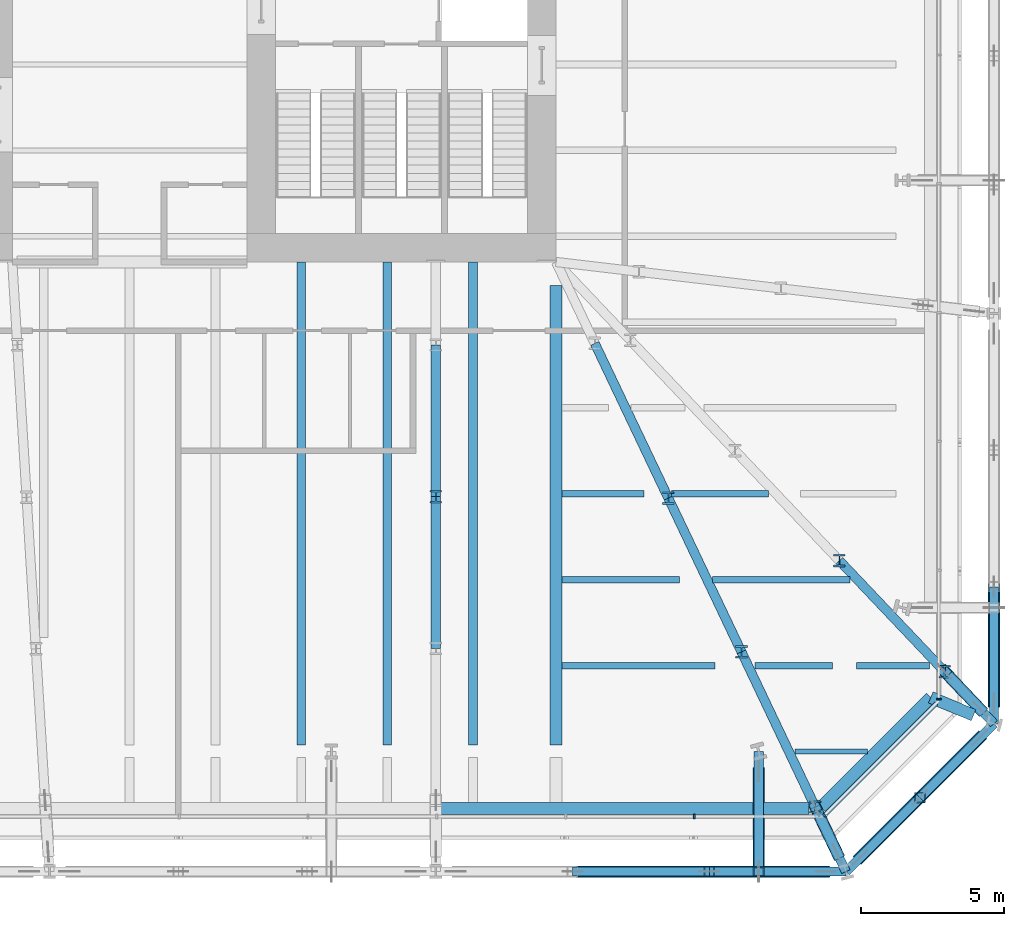
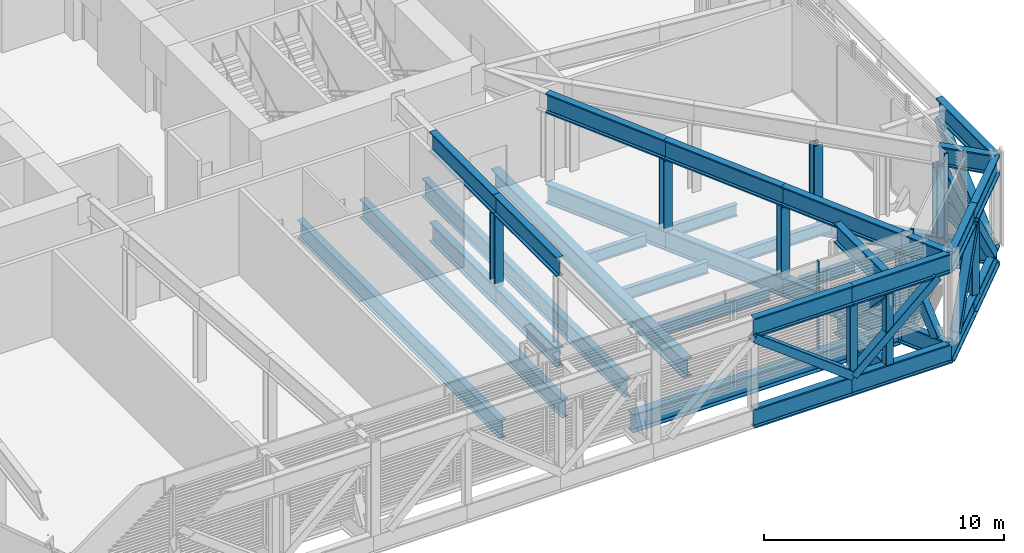
# One storey, part 7 of 29: 43 beams, 21 members, 3 elements without a shape of their own.
"""IFC4 building model written with IfcOpenShell, lengths in metres."""

import ifcopenshell
import ifcopenshell.guid

model = None  # the IFC model being written
_history = None  # IfcOwnerHistory: only IFC2X3 demands one
_inside = {}  # id of a spatial element -> (the spatial element, [elements in it])
_under = {}  # id of a project, library or spatial element -> (it, [spatial elements below it])
_declared = {}  # id of a project -> (the project, [libraries it declares])
_typed = {}  # id of a type object -> (the type object, [elements of that type])
_made_of = {}  # id of a material, layer set ... -> (it, [elements and type objects made of it])


def new_model(schema):
    """Start an empty IFC model of exactly this schema.

    Asked for "IFC4X3", IfcOpenShell would pick the latest addendum, in which some entities
    have other attributes; the version numbers below select the first issue.
    IFC2X3 requires an IfcOwnerHistory on every rooted entity: one is made here for all.
    """
    global model, _history
    if schema == "IFC4X3":
        model = ifcopenshell.file(schema_version=(4, 3, 0, 0))
    else:
        model = ifcopenshell.file(schema=schema)
    _inside.clear()
    _under.clear()
    _declared.clear()
    _typed.clear()
    _made_of.clear()
    _history = None
    if model.schema == "IFC2X3":
        org = make("IfcOrganization", Name="unknown")
        user = make(
            "IfcPersonAndOrganization",
            ThePerson=make("IfcPerson", FamilyName="unknown"),
            TheOrganization=org,
        )
        app = make(
            "IfcApplication",
            ApplicationDeveloper=org,
            Version="unknown",
            ApplicationFullName="unknown",
            ApplicationIdentifier="unknown",
        )
        _history = make(
            "IfcOwnerHistory",
            OwningUser=user,
            OwningApplication=app,
            ChangeAction="ADDED",
            CreationDate=0,
        )
    return model


def make(cls, **values):
    """One entity of the class cls with the attributes given. An attribute that is None is left unset."""
    return model.create_entity(
        cls, **{name: value for name, value in values.items() if value is not None}
    )


def rooted(cls, **values):
    """An entity with a GlobalId (a new one), such as an element, a storey or a relation."""
    return make(cls, GlobalId=ifcopenshell.guid.new(), OwnerHistory=_history, **values)


def si_unit(unit_type, name, prefix=None):
    """IfcSIUnit, for example si_unit("LENGTHUNIT", "METRE", prefix="MILLI")."""
    return make("IfcSIUnit", UnitType=unit_type, Prefix=prefix, Name=name)


def assignment(units):
    """IfcUnitAssignment: the units of a project."""
    return None if units is None else make("IfcUnitAssignment", Units=units)


def point(xyz):
    """IfcCartesianPoint."""
    return None if xyz is None else make("IfcCartesianPoint", Coordinates=xyz)


def direction(xyz):
    """IfcDirection."""
    return None if xyz is None else make("IfcDirection", DirectionRatios=xyz)


def frame(location, z_axis=None, x_axis=None):
    """IfcAxis2Placement3D, a coordinate frame: its origin and axes. An axis left out is left unset."""
    return make(
        "IfcAxis2Placement3D",
        Location=point(location),
        Axis=direction(z_axis),
        RefDirection=direction(x_axis),
    )


def frame_2d(location, x_axis=None):
    """IfcAxis2Placement2D, a coordinate frame in the plane: its origin and x axis."""
    return make(
        "IfcAxis2Placement2D", Location=point(location), RefDirection=direction(x_axis)
    )


def origin():
    """The frame at (0, 0, 0) with its axes left unset."""
    return frame((0.0, 0.0, 0.0))


def origin_2d():
    """The frame at (0, 0) in the plane with its x axis left unset."""
    return frame_2d((0.0, 0.0))


def place(relative_to, where):
    """IfcLocalPlacement: puts the frame where relative to a parent placement (None: the world)."""
    return make(
        "IfcLocalPlacement", PlacementRelTo=relative_to, RelativePlacement=where
    )


def context(
    kind, dimensions, precision=None, world=None, true_north=None, identifier=None
):
    """IfcGeometricRepresentationContext, for example the 3D "Model" context."""
    return make(
        "IfcGeometricRepresentationContext",
        ContextIdentifier=identifier,
        ContextType=kind,
        CoordinateSpaceDimension=dimensions,
        Precision=precision,
        WorldCoordinateSystem=world,
        TrueNorth=true_north,
    )


def subcontext(parent, identifier, kind, view, scale=None):
    """IfcGeometricRepresentationSubContext, for example "Body" below "Model"."""
    return make(
        "IfcGeometricRepresentationSubContext",
        ContextIdentifier=identifier,
        ContextType=kind,
        ParentContext=parent,
        TargetScale=scale,
        TargetView=view,
    )


def project(units=None, contexts=None):
    """IfcProject with its units and contexts."""
    return rooted(
        "IfcProject",
        Name="project",
        RepresentationContexts=contexts,
        UnitsInContext=assignment(units),
    )


def spatial(cls, under=None, at=None, **own):
    """A site, building, storey or space (cls), placed at a placement, below another one or the project."""
    s = rooted(cls, ObjectPlacement=at, **own)
    if under is not None:
        _under.setdefault(under.id(), (under, []))[1].append(s)
    return s


def profile(cls, at=None, kind="AREA", **sizes):
    """A parametric profile (cls). Its sizes go by their IFC names, for example OverallWidth=200.0."""
    return make(cls, ProfileType=kind, Position=at, **sizes)


def rectangle(**sizes):
    """IfcRectangleProfileDef."""
    return profile("IfcRectangleProfileDef", **sizes)


def hollow_rectangle(**sizes):
    """IfcRectangleHollowProfileDef."""
    return profile("IfcRectangleHollowProfileDef", **sizes)


def i_section(**sizes):
    """IfcIShapeProfileDef."""
    return profile("IfcIShapeProfileDef", **sizes)


def extrude(swept, where, along, depth):
    """IfcExtrudedAreaSolid: the profile swept, set in the frame where, extruded along a direction by depth."""
    return make(
        "IfcExtrudedAreaSolid",
        SweptArea=swept,
        Position=where,
        ExtrudedDirection=direction(along),
        Depth=depth,
    )


def shape(context_of_items, identifier, shape_type, items):
    """IfcShapeRepresentation: the items that make up one representation, for example the "Body"."""
    return make(
        "IfcShapeRepresentation",
        ContextOfItems=context_of_items,
        RepresentationIdentifier=identifier,
        RepresentationType=shape_type,
        Items=items,
    )


def material(Name=None, Category=None):
    """IfcMaterial."""
    return make("IfcMaterial", Name=Name, Category=Category)


def layer(
    of_material, thickness, ventilated=None, Name=None, Category=None, Priority=None
):
    """IfcMaterialLayer: one layer of a wall or slab, of a material (None: an air gap)."""
    return make(
        "IfcMaterialLayer",
        Material=of_material,
        LayerThickness=thickness,
        IsVentilated=ventilated,
        Name=Name,
        Category=Category,
        Priority=Priority,
    )


def layer_set(layers, Name=None):
    """IfcMaterialLayerSet."""
    return make("IfcMaterialLayerSet", MaterialLayers=layers, LayerSetName=Name)


def material_profile(
    of_material, cross_section, Name=None, Category=None, Priority=None
):
    """IfcMaterialProfile: a cross section and its material."""
    return make(
        "IfcMaterialProfile",
        Name=Name,
        Material=of_material,
        Profile=cross_section,
        Priority=Priority,
        Category=Category,
    )


def profile_set(profiles, Name=None, composite=None):
    """IfcMaterialProfileSet."""
    return make(
        "IfcMaterialProfileSet",
        Name=Name,
        MaterialProfiles=profiles,
        CompositeProfile=composite,
    )


def made_of(thing, what):
    """Note that an element or type object is made of a material, layer set ...; save() writes the relation."""
    if what is not None:
        _made_of.setdefault(what.id(), (what, []))[1].append(thing)
    return thing


def type_object(cls, material=None, **own):
    """A type object (cls), such as IfcWallType, which elements share."""
    return made_of(rooted(cls, **own), material)


def element(
    cls,
    number,
    at=None,
    inside=None,
    cuts=None,
    type_object=None,
    material=None,
    context=None,
    identifier="Body",
    shape_type=None,
    held_by="IfcProductDefinitionShape",
    body=None,
    shapes=None,
    **own,
):
    """One element of the class cls, such as IfcWall. Its Tag is "e" and its number.

    at: its placement. inside: the storey or other place that contains it. cuts: it is an
    opening in that element (IfcRelVoidsElement). A single representation is given by context,
    identifier, shape_type and body (its items); several are given by shapes. held_by: the class
    of the entity that holds the representations. save() writes the other relations.
    """
    e = rooted(cls, Tag="e%d" % number, ObjectPlacement=at, **own)
    if body is not None:
        shapes = [shape(context, identifier, shape_type, body)]
    if shapes is not None:
        e.Representation = make(held_by, Representations=shapes)
    if inside is not None:
        _inside.setdefault(inside.id(), (inside, []))[1].append(e)
    if cuts is not None:
        rooted(
            "IfcRelVoidsElement", RelatingBuildingElement=cuts, RelatedOpeningElement=e
        )
    if type_object is not None:
        _typed.setdefault(type_object.id(), (type_object, []))[1].append(e)
    return made_of(e, material)


def aggregate(whole, parts):
    """IfcRelAggregates: a whole, such as a stair, and the parts it consists of."""
    return rooted("IfcRelAggregates", RelatingObject=whole, RelatedObjects=parts)


def save(model, path):
    """Write the relations noted so far, then the file.

    IfcRelAggregates (storeys below a building ...), IfcRelContainedInSpatialStructure (elements
    in a storey), IfcRelDefinesByType, IfcRelAssociatesMaterial and IfcRelDeclares: one each for
    every whole, place, type object, material and project.
    """
    for whole, parts in _under.values():
        aggregate(whole, parts)
    for where, things in _inside.values():
        rooted(
            "IfcRelContainedInSpatialStructure",
            RelatedElements=things,
            RelatingStructure=where,
        )
    for kind, things in _typed.values():
        rooted("IfcRelDefinesByType", RelatedObjects=things, RelatingType=kind)
    for what, things in _made_of.values():
        rooted("IfcRelAssociatesMaterial", RelatedObjects=things, RelatingMaterial=what)
    for by, libraries in _declared.values():
        rooted("IfcRelDeclares", RelatingContext=by, RelatedDefinitions=libraries)
    model.write(path)


model = new_model("IFC4")

# Units and contexts
model_context = context("Model", 3, precision=1e-05, world=origin(), true_north=direction((0.0, 1.0)))
body_context = subcontext(model_context, "Body", "Model", "MODEL_VIEW")
ifc_project = project(units=[si_unit("LENGTHUNIT", "METRE"), si_unit("AREAUNIT", "SQUARE_METRE"), si_unit("VOLUMEUNIT", "CUBIC_METRE"), si_unit("PLANEANGLEUNIT", "RADIAN"), si_unit("MASSUNIT", "GRAM", prefix="KILO")], contexts=[model_context])

# Site, building, storey
site_placement = place(None, origin())
site = spatial("IfcSite", under=ifc_project, at=site_placement, CompositionType="ELEMENT")
building_placement = place(site_placement, origin())
building = spatial("IfcBuilding", under=site, at=building_placement, Name="Millrace Tower", CompositionType="ELEMENT")
storey_placement = place(building_placement, frame((0.0, 0.0, 68.60009765625)))
storey = spatial("IfcBuildingStorey", under=building, at=storey_placement, Name="L15", CompositionType="ELEMENT", Elevation=68.60009765625)

# Curtain wall, member
ifc_material_1 = material(Name="Aluminium and glass", Category="aluminium")
ifc_layer = layer(ifc_material_1, 0.14990234375)
ifc_layer_set = layer_set([ifc_layer], Name="Aluminium and glass")
curtain_wall_type = type_object("IfcCurtainWallType", Name="CW-5 truss and plant storey louvred infill", PredefinedType="NOTDEFINED", material=ifc_layer_set)
placement = place(storey_placement, origin())
curtain_wall_1 = element("IfcCurtainWall", 1, at=placement, inside=storey, type_object=curtain_wall_type, Name="Curtain wall B-F02 L15", PredefinedType="NOTDEFINED")
ifc_material_2 = material(Name="Aluminium", Category="aluminium")
ifc_material_profile_1 = material_profile(ifc_material_2, rectangle(XDim=0.06494140625, YDim=0.14990234375, at=origin_2d()))
ifc_profile_set_1 = profile_set([ifc_material_profile_1], Name="Aluminium")
member_type_1 = type_object("IfcMemberType", Name="CW-5 truss and plant storey louvred infill mullion", PredefinedType="MULLION", material=ifc_profile_set_1)
member_1_placement = place(storey_placement, frame((19.732421875, -29.27490234375, 0.139892578125), z_axis=(0.0, 0.0, 1.0), x_axis=(1.0, 0.0, 0.0)))
member_1 = element("IfcMember", 2, at=member_1_placement, type_object=member_type_1, Name="CW5 mullion B-F02.9", PredefinedType="MULLION", context=body_context, shape_type="SweptSolid", body=[
    extrude(rectangle(XDim=0.06494140625, YDim=0.14990234375, at=origin_2d()), origin(), (0.0, 0.0, 1.0), 4.4599609375),
])
aggregate(curtain_wall_1, [member_1])

curtain_wall_2 = element("IfcCurtainWall", 3, at=placement, inside=storey, type_object=curtain_wall_type, Name="Curtain wall B-F03 L15", PredefinedType="NOTDEFINED")
member_2_placement = place(storey_placement, frame((24.276123046875, -29.22998046875, 0.139892578125), z_axis=(0.0, 0.0, 1.0), x_axis=(0.707106781187, 0.707106781187, 0.0)))
member_2 = element("IfcMember", 4, at=member_2_placement, type_object=member_type_1, Name="CW5 mullion B-F03.1", PredefinedType="MULLION", context=body_context, shape_type="SweptSolid", body=[
    extrude(rectangle(XDim=0.06494140625, YDim=0.14990234375, at=origin_2d()), origin(), (0.0, 0.0, 1.0), 4.4599609375),
])

curtain_wall_3 = element("IfcCurtainWall", 5, at=placement, inside=storey, type_object=curtain_wall_type, Name="Curtain wall B-F04 L15", PredefinedType="NOTDEFINED")
member_3_placement = place(storey_placement, frame((28.27490234375, -25.16748046875, 0.139892578125), z_axis=(0.0, 0.0, 1.0), x_axis=(0.0, 1.0, 0.0)))
member_3 = element("IfcMember", 6, at=member_3_placement, type_object=member_type_1, Name="CW5 mullion B-F04.1", PredefinedType="MULLION", context=body_context, shape_type="SweptSolid", body=[
    extrude(rectangle(XDim=0.06494140625, YDim=0.14990234375, at=origin_2d()), origin(), (0.0, 0.0, 1.0), 4.4599609375),
])
aggregate(curtain_wall_3, [member_3])

# Member
ifc_material_3 = material(Name="Aluminium", Category="aluminium")
ifc_material_profile_2 = material_profile(ifc_material_3, rectangle(XDim=0.14990234375, YDim=0.139892578125, at=origin_2d()))
ifc_profile_set_2 = profile_set([ifc_material_profile_2], Name="Aluminium")
member_type_2 = type_object("IfcMemberType", Name="CW-5 truss and plant storey louvred infill transom", PredefinedType="USERDEFINED", material=ifc_profile_set_2)
member_4_placement = place(storey_placement, frame((24.32373046875, -29.182373046875, 0.06982421875), z_axis=(0.707106781187, 0.707106781187, 0.0), x_axis=(-0.707106781187, 0.707106781187, 0.0)))
member_4 = element("IfcMember", 7, at=member_4_placement, type_object=member_type_2, Name="CW5 transom B-F03.1", ObjectType="TRANSOM", PredefinedType="USERDEFINED", context=body_context, shape_type="SweptSolid", body=[
    extrude(rectangle(XDim=0.14990234375, YDim=0.139892578125, at=origin_2d()), origin(), (0.0, 0.0, 1.0), 5.45703125),
])

aggregate(curtain_wall_2, [member_2, member_4])

# Beams
ifc_material_4 = material(Name="Steel ASTM A992 Grade 50", Category="steel")
ifc_material_profile_3 = material_profile(ifc_material_4, i_section(OverallWidth=0.1787109375, OverallDepth=0.60205078125, WebThickness=0.010986328125, FlangeThickness=0.014892578125, FilletRadius=0.0126953125, at=origin_2d()))
ifc_profile_set_3 = profile_set([ifc_material_profile_3], Name="Steel ASTM A992 Grade 50")
beam_type_1 = type_object("IfcBeamType", Name="Floor beam W24x62", PredefinedType="JOIST", material=ifc_profile_set_3)
beam_1_placement = place(storey_placement, frame((23.2529296875, -27.0, -0.5009765625), z_axis=(1.0, 0.0, 0.0), x_axis=(0.0, 1.0, 0.0)))
element("IfcBeam", 8, at=beam_1_placement, inside=storey, type_object=beam_type_1, Name="BM-B-L15-S1-S002-b", PredefinedType="JOIST", context=body_context, shape_type="SweptSolid", body=[
    extrude(i_section(OverallWidth=0.1787109375, OverallDepth=0.60205078125, WebThickness=0.010986328125, FlangeThickness=0.014892578125, FilletRadius=0.0126953125, at=origin_2d()), origin(), (0.0, 0.0, 1.0), 2.5302734375),
])
ifc_material_5 = material(Name="Steel ASTM A992 Grade 50", Category="steel")
ifc_material_profile_4 = material_profile(ifc_material_5, i_section(OverallWidth=0.228271484375, OverallDepth=0.607177734375, WebThickness=0.01123046875, FlangeThickness=0.017333984375, FilletRadius=0.0126953125, at=origin_2d()))
ifc_profile_set_4 = profile_set([ifc_material_profile_4], Name="Steel ASTM A992 Grade 50")
beam_type_2 = type_object("IfcBeamType", Name="Floor beam W24x76", PredefinedType="JOIST", material=ifc_profile_set_4)
beam_2_placement = place(storey_placement, frame((15.11083984375, -18.0, -0.503662109375), z_axis=(1.0, 0.0, 0.0), x_axis=(0.0, 1.0, 0.0)))
element("IfcBeam", 9, at=beam_2_placement, inside=storey, type_object=beam_type_2, Name="BM-B-L15-S1-S008-a", PredefinedType="JOIST", context=body_context, shape_type="SweptSolid", body=[
    extrude(i_section(OverallWidth=0.228271484375, OverallDepth=0.607177734375, WebThickness=0.01123046875, FlangeThickness=0.017333984375, FilletRadius=0.0126953125, at=origin_2d()), origin(), (0.0, 0.0, 1.0), 2.85400390625),
])
beam_3_placement = place(storey_placement, frame((15.11083984375, -21.0, -0.503662109375), z_axis=(1.0, 0.0, 0.0), x_axis=(0.0, 1.0, 0.0)))
element("IfcBeam", 10, at=beam_3_placement, inside=storey, type_object=beam_type_2, Name="BM-B-L15-S1-S006-a", PredefinedType="JOIST", context=body_context, shape_type="SweptSolid", body=[
    extrude(i_section(OverallWidth=0.228271484375, OverallDepth=0.607177734375, WebThickness=0.01123046875, FlangeThickness=0.017333984375, FilletRadius=0.0126953125, at=origin_2d()), origin(), (0.0, 0.0, 1.0), 4.095947265625),
])
beam_4_placement = place(storey_placement, frame((15.11083984375, -24.0, -0.503662109375), z_axis=(1.0, 0.0, 0.0), x_axis=(0.0, 1.0, 0.0)))
element("IfcBeam", 11, at=beam_4_placement, inside=storey, type_object=beam_type_2, Name="BM-B-L15-S1-S004-a", PredefinedType="JOIST", context=body_context, shape_type="SweptSolid", body=[
    extrude(i_section(OverallWidth=0.228271484375, OverallDepth=0.607177734375, WebThickness=0.01123046875, FlangeThickness=0.017333984375, FilletRadius=0.0126953125, at=origin_2d()), origin(), (0.0, 0.0, 1.0), 5.337890625),
])
beam_5_placement = place(storey_placement, frame((25.40478515625, -24.0, -0.503662109375), z_axis=(1.0, 0.0, 0.0), x_axis=(0.0, 1.0, 0.0)))
element("IfcBeam", 12, at=beam_5_placement, inside=storey, type_object=beam_type_2, Name="BM-B-L15-S1-S004-b-b", PredefinedType="JOIST", context=body_context, shape_type="SweptSolid", body=[
    extrude(i_section(OverallWidth=0.228271484375, OverallDepth=0.607177734375, WebThickness=0.01123046875, FlangeThickness=0.017333984375, FilletRadius=0.0126953125, at=origin_2d()), origin(), (0.0, 0.0, 1.0), 2.5361328125),
])
beam_6_placement = place(storey_placement, frame((21.841796875, -24.0, -0.503662109375), z_axis=(1.0, 0.0, 0.0), x_axis=(0.0, 1.0, 0.0)))
element("IfcBeam", 13, at=beam_6_placement, inside=storey, type_object=beam_type_2, Name="BM-B-L15-S1-S004-b-a", PredefinedType="JOIST", context=body_context, shape_type="SweptSolid", body=[
    extrude(i_section(OverallWidth=0.228271484375, OverallDepth=0.607177734375, WebThickness=0.01123046875, FlangeThickness=0.017333984375, FilletRadius=0.0126953125, at=origin_2d()), origin(), (0.0, 0.0, 1.0), 2.710205078125),
])
beam_7_placement = place(storey_placement, frame((20.3671875, -21.0, -0.503662109375), z_axis=(1.0, 0.0, 0.0), x_axis=(0.0, 1.0, 0.0)))
element("IfcBeam", 14, at=beam_7_placement, inside=storey, type_object=beam_type_2, Name="BM-B-L15-S1-S006-b-a", PredefinedType="JOIST", context=body_context, shape_type="SweptSolid", body=[
    extrude(i_section(OverallWidth=0.228271484375, OverallDepth=0.607177734375, WebThickness=0.01123046875, FlangeThickness=0.017333984375, FilletRadius=0.0126953125, at=origin_2d()), origin(), (0.0, 0.0, 1.0), 4.79638671875),
])
beam_8_placement = place(storey_placement, frame((18.93017578125, -18.0, -0.503662109375), z_axis=(1.0, 0.0, 0.0), x_axis=(0.0, 1.0, 0.0)))
element("IfcBeam", 15, at=beam_8_placement, inside=storey, type_object=beam_type_2, Name="BM-B-L15-S1-S008-b-a", PredefinedType="JOIST", context=body_context, shape_type="SweptSolid", body=[
    extrude(i_section(OverallWidth=0.228271484375, OverallDepth=0.607177734375, WebThickness=0.01123046875, FlangeThickness=0.017333984375, FilletRadius=0.0126953125, at=origin_2d()), origin(), (0.0, 0.0, 1.0), 3.387451171875),
])
ifc_material_6 = material(Name="Steel ASTM A992 Grade 50", Category="steel")
ifc_material_profile_5 = material_profile(ifc_material_6, i_section(OverallWidth=0.307373046875, OverallDepth=0.927001953125, WebThickness=0.01953125, FlangeThickness=0.031982421875, FilletRadius=0.01904296875, at=origin_2d()))
ifc_profile_set_5 = profile_set([ifc_material_profile_5], Name="Steel ASTM A992 Grade 50")
beam_type_3 = type_object("IfcBeamType", Name="Floor beam W36x194", PredefinedType="JOIST", material=ifc_profile_set_5)
for number, where, z_axis, x_axis, name in (
    (16, (6.0, -26.77978515625, -0.66357421875), (0.0, 1.0, 0.0), (-1.0, 0.0, 0.0), "BM-B-L15-S1-S053-b"),
    (17, (9.0, -26.77978515625, -0.66357421875), (0.0, 1.0, 0.0), (-1.0, 0.0, 0.0), "BM-B-L15-S1-S055-b"),
    (18, (12.0, -26.77978515625, -0.66357421875), (0.0, 1.0, 0.0), (-1.0, 0.0, 0.0), "BM-B-L15-S1-S057-b"),
):
    element("IfcBeam", number, at=place(storey_placement, frame(where, z_axis=z_axis, x_axis=x_axis)), inside=storey, type_object=beam_type_3, Name=name, PredefinedType="JOIST", context=body_context, shape_type="SweptSolid", body=[
        extrude(i_section(OverallWidth=0.307373046875, OverallDepth=0.927001953125, WebThickness=0.01953125, FlangeThickness=0.031982421875, FilletRadius=0.01904296875, at=origin_2d()), origin(), (0.0, 0.0, 1.0), 16.8798828125),
    ])
ifc_material_7 = material(Name="Steel ASTM A992 Grade 50", Category="steel")
ifc_material_profile_6 = material_profile(ifc_material_7, i_section(OverallWidth=0.424072265625, OverallDepth=0.947509765625, WebThickness=0.02392578125, FlangeThickness=0.042724609375, FilletRadius=0.024169921875, at=origin_2d()))
ifc_profile_set_6 = profile_set([ifc_material_profile_6], Name="Steel ASTM A992 Grade 50")
beam_type_4 = type_object("IfcBeamType", Name="Girder medium span W36x302", PredefinedType="BEAM", material=ifc_profile_set_6)
beam_9_placement = place(storey_placement, frame((14.89990234375, -26.781494140625, -0.673828125), z_axis=(0.0, 1.0, 0.0), x_axis=(-1.0, 0.0, 0.0)))
element("IfcBeam", 19, at=beam_9_placement, inside=storey, type_object=beam_type_4, Name="BM-B-L15-S1-G061-b", PredefinedType="BEAM", context=body_context, shape_type="SweptSolid", body=[
    extrude(i_section(OverallWidth=0.424072265625, OverallDepth=0.947509765625, WebThickness=0.02392578125, FlangeThickness=0.042724609375, FilletRadius=0.024169921875, at=origin_2d()), origin(), (0.0, 0.0, 1.0), 16.054443359375),
])
ifc_material_8 = material(Name="Steel ASTM A992 Grade 50", Category="steel")
ifc_material_profile_7 = material_profile(ifc_material_8, i_section(OverallWidth=0.421630859375, OverallDepth=0.95751953125, WebThickness=0.02587890625, FlangeThickness=0.046875, FilletRadius=0.024169921875, at=origin_2d()))
ifc_profile_set_7 = profile_set([ifc_material_profile_7], Name="Steel ASTM A992 Grade 50")
beam_type_5 = type_object("IfcBeamType", Name="Link beam W36x330", PredefinedType="BEAM", material=ifc_profile_set_7)
beam_10_placement = place(storey_placement, frame((27.990478515625, -25.11328125, -0.678955078125), z_axis=(0.92387348138, -0.382698040761, 0.0), x_axis=(0.382698040761, 0.92387348138, 0.0)))
element("IfcBeam", 20, at=beam_10_placement, inside=storey, type_object=beam_type_5, Name="LNK-B-L15-S1-12", PredefinedType="BEAM", context=body_context, shape_type="SweptSolid", body=[
    extrude(i_section(OverallWidth=0.421630859375, OverallDepth=0.95751953125, WebThickness=0.02587890625, FlangeThickness=0.046875, FilletRadius=0.024169921875, at=origin_2d()), origin(), (0.0, 0.0, 1.0), 1.619140625),
])
ifc_material_9 = material(Name="Steel ASTM A992 Grade 50", Category="steel")
ifc_material_profile_8 = material_profile(ifc_material_9, i_section(OverallWidth=0.419189453125, OverallDepth=0.927001953125, WebThickness=0.019287109375, FlangeThickness=0.031982421875, FilletRadius=0.024169921875, at=origin_2d()))
ifc_profile_set_8 = profile_set([ifc_material_profile_8], Name="Steel ASTM A992 Grade 50")
beam_type_6 = type_object("IfcBeamType", Name="Ring beam short span W36x231", PredefinedType="SPANDREL", material=ifc_profile_set_8)
beam_11_placement = place(storey_placement, frame((27.990478515625, -25.11328125, -0.66357421875), z_axis=(-0.707129262207, -0.707084299451, 0.0), x_axis=(0.707084299451, -0.707129262207, 0.0)))
element("IfcBeam", 21, at=beam_11_placement, inside=storey, type_object=beam_type_6, Name="RNG-B-L15-S1-12", PredefinedType="SPANDREL", context=body_context, shape_type="SweptSolid", body=[
    extrude(i_section(OverallWidth=0.419189453125, OverallDepth=0.927001953125, WebThickness=0.019287109375, FlangeThickness=0.031982421875, FilletRadius=0.024169921875, at=origin_2d()), origin(), (0.0, 0.0, 1.0), 5.429931640625),
])
beam_12_placement = place(storey_placement, frame((21.815673828125, -28.990478515625, -0.66357421875), z_axis=(-1.0, 0.0, 0.0), x_axis=(0.0, -1.0, 0.0)))
element("IfcBeam", 22, at=beam_12_placement, inside=storey, type_object=beam_type_6, Name="RNG-B-L15-S1-13-b", PredefinedType="SPANDREL", context=body_context, shape_type="SweptSolid", body=[
    extrude(i_section(OverallWidth=0.419189453125, OverallDepth=0.927001953125, WebThickness=0.019287109375, FlangeThickness=0.031982421875, FilletRadius=0.024169921875, at=origin_2d()), origin(), (0.0, 0.0, 1.0), 10.954345703125),
])
beam_13_placement = place(storey_placement, frame((23.7431640625, -28.990478515625, -0.66357421875), z_axis=(-1.0, 0.0, 0.0), x_axis=(0.0, -1.0, 0.0)))
element("IfcBeam", 23, at=beam_13_placement, inside=storey, type_object=beam_type_6, Name="RNG-B-L15-S1-13-a", PredefinedType="SPANDREL", context=body_context, shape_type="SweptSolid", body=[
    extrude(i_section(OverallWidth=0.419189453125, OverallDepth=0.927001953125, WebThickness=0.019287109375, FlangeThickness=0.031982421875, FilletRadius=0.024169921875, at=origin_2d()), origin(), (0.0, 0.0, 1.0), 1.601806640625),
])

# Members
ifc_material_10 = material(Name="Steel ASTM A992 Grade 50", Category="steel")
ifc_material_profile_9 = material_profile(ifc_material_10, i_section(OverallWidth=0.411376953125, OverallDepth=0.434326171875, WebThickness=0.035888671875, FlangeThickness=0.057373046875, FilletRadius=0.01513671875, at=origin_2d()))
ifc_profile_set_9 = profile_set([ifc_material_profile_9], Name="Steel ASTM A992 Grade 50")
member_type_3 = type_object("IfcMemberType", Name="Transfer truss Vierendeel moment post W14x311", PredefinedType="POST", material=ifc_profile_set_9)
for number, where, z_axis, x_axis, name in (
    (24, (10.699951171875, -18.10009765625, -0.2001953125), (0.0, 0.0, 1.0), (1.0, 0.0, 0.0), "TRS-L15-C04-V03"),
    (25, (23.954833984375, -28.942138671875, -0.2001953125), (0.0, 0.0, 1.0), (1.0, 0.0, 0.0), "TRS-L15-C05-V01"),
    (26, (21.378173828125, -23.523681640625, -0.2001953125), (0.0, 0.0, 1.0), (1.0, 0.0, 0.0), "TRS-L15-C05-V02"),
    (27, (18.822998046875, -18.150146484375, -0.2001953125), (0.0, 0.0, 1.0), (1.0, 0.0, 0.0), "TRS-L15-C05-V03"),
    (28, (28.4794921875, -24.214599609375, -0.2001953125), (0.0, 0.0, 1.0), (1.0, 0.0, 0.0), "TRS-L15-C06-V01"),
    (29, (24.79736328125, -20.333251953125, -0.2001953125), (0.0, 0.0, 1.0), (1.0, 0.0, 0.0), "TRS-L15-C06-V02"),
):
    element("IfcMember", number, at=place(storey_placement, frame(where, z_axis=z_axis, x_axis=x_axis)), inside=storey, type_object=member_type_3, Name=name, PredefinedType="POST", context=body_context, shape_type="SweptSolid", body=[
        extrude(i_section(OverallWidth=0.411376953125, OverallDepth=0.434326171875, WebThickness=0.035888671875, FlangeThickness=0.057373046875, FilletRadius=0.01513671875, at=origin_2d()), origin(), (0.0, 0.0, 1.0), 3.60693359375),
    ])

# Beams
ifc_material_11 = material(Name="Steel ASTM A992 Grade 50", Category="steel")
ifc_material_profile_10 = material_profile(ifc_material_11, i_section(OverallWidth=0.322509765625, OverallDepth=0.9931640625, WebThickness=0.0361328125, FlangeThickness=0.06494140625, FilletRadius=0.01904296875, at=origin_2d()))
ifc_profile_set_10 = profile_set([ifc_material_profile_10], Name="Steel ASTM A992 Grade 50")
beam_type_7 = type_object("IfcBeamType", Name="Transfer truss chord W36x387", PredefinedType="BEAM", material=ifc_profile_set_10)
for number, where, z_axis, x_axis, name in (
    (30, (15.47607421875, -31.199951171875, -0.69677734375), (1.0, 0.0, 0.0), (0.0, 1.0, 0.0), "TRS-L15-R04-B02"),
    (31, (15.47607421875, -31.199951171875, 3.9033203125), (1.0, 0.0, 0.0), (0.0, 1.0, 0.0), "TRS-L15-R04-T02"),
    (32, (20.252197265625, -31.199951171875, -0.69677734375), (1.0, 0.0, 0.0), (0.0, 1.0, 0.0), "TRS-L15-R04-B03"),
    (33, (20.252197265625, -31.199951171875, 3.9033203125), (1.0, 0.0, 0.0), (0.0, 1.0, 0.0), "TRS-L15-R04-T03"),
):
    element("IfcBeam", number, at=place(storey_placement, frame(where, z_axis=z_axis, x_axis=x_axis)), inside=storey, type_object=beam_type_7, Name=name, PredefinedType="BEAM", context=body_context, shape_type="SweptSolid", body=[
        extrude(i_section(OverallWidth=0.322509765625, OverallDepth=0.9931640625, WebThickness=0.0361328125, FlangeThickness=0.06494140625, FilletRadius=0.01904296875, at=origin_2d()), origin(), (0.0, 0.0, 1.0), 4.776123046875),
    ])
for number, where, z_axis, x_axis, name in (
    (34, (25.0283203125, -31.199951171875, -0.69677734375), (0.70714016126, 0.707073399538, 0.0), (-0.707073399538, 0.70714016126, 0.0), "TRS-L15-R05-B01"),
    (35, (25.0283203125, -31.199951171875, 3.9033203125), (0.70714016126, 0.707073399538, 0.0), (-0.707073399538, 0.70714016126, 0.0), "TRS-L15-R05-T01"),
    (36, (27.6142578125, -28.6142578125, -0.69677734375), (0.707073399538, 0.70714016126, 0.0), (-0.70714016126, 0.707073399538, 0.0), "TRS-L15-R05-B02"),
    (37, (27.6142578125, -28.6142578125, 3.9033203125), (0.707073399538, 0.70714016126, 0.0), (-0.70714016126, 0.707073399538, 0.0), "TRS-L15-R05-T02"),
):
    element("IfcBeam", number, at=place(storey_placement, frame(where, z_axis=z_axis, x_axis=x_axis)), inside=storey, type_object=beam_type_7, Name=name, PredefinedType="BEAM", context=body_context, shape_type="SweptSolid", body=[
        extrude(i_section(OverallWidth=0.322509765625, OverallDepth=0.9931640625, WebThickness=0.0361328125, FlangeThickness=0.06494140625, FilletRadius=0.01904296875, at=origin_2d()), origin(), (0.0, 0.0, 1.0), 3.656982421875),
    ])
for number, where, z_axis, x_axis, name in (
    (38, (30.199951171875, -26.0283203125, -0.69677734375), (0.0, 1.0, 0.0), (-1.0, 0.0, 0.0), "TRS-L15-R06-B01"),
    (39, (30.199951171875, -26.0283203125, 3.9033203125), (0.0, 1.0, 0.0), (-1.0, 0.0, 0.0), "TRS-L15-R06-T01"),
):
    element("IfcBeam", number, at=place(storey_placement, frame(where, z_axis=z_axis, x_axis=x_axis)), inside=storey, type_object=beam_type_7, Name=name, PredefinedType="BEAM", context=body_context, shape_type="SweptSolid", body=[
        extrude(i_section(OverallWidth=0.322509765625, OverallDepth=0.9931640625, WebThickness=0.0361328125, FlangeThickness=0.06494140625, FilletRadius=0.01904296875, at=origin_2d()), origin(), (0.0, 0.0, 1.0), 4.776123046875),
    ])
for number, where, z_axis, x_axis, name in (
    (40, (10.699951171875, -23.39990234375, -0.69677734375), (0.0, 1.0, 0.0), (-1.0, 0.0, 0.0), "TRS-L15-C04-B03"),
    (41, (10.699951171875, -23.39990234375, 3.9033203125), (0.0, 1.0, 0.0), (-1.0, 0.0, 0.0), "TRS-L15-C04-T03"),
):
    element("IfcBeam", number, at=place(storey_placement, frame(where, z_axis=z_axis, x_axis=x_axis)), inside=storey, type_object=beam_type_7, Name=name, PredefinedType="BEAM", context=body_context, shape_type="SweptSolid", body=[
        extrude(i_section(OverallWidth=0.322509765625, OverallDepth=0.9931640625, WebThickness=0.0361328125, FlangeThickness=0.06494140625, FilletRadius=0.01904296875, at=origin_2d()), origin(), (0.0, 0.0, 1.0), 5.2998046875),
    ])
for number, where, z_axis, x_axis, name in (
    (42, (10.699951171875, -18.10009765625, -0.69677734375), (0.0, 1.0, 0.0), (-1.0, 0.0, 0.0), "TRS-L15-C04-B04"),
    (43, (10.699951171875, -18.10009765625, 3.9033203125), (0.0, 1.0, 0.0), (-1.0, 0.0, 0.0), "TRS-L15-C04-T04"),
):
    element("IfcBeam", number, at=place(storey_placement, frame(where, z_axis=z_axis, x_axis=x_axis)), inside=storey, type_object=beam_type_7, Name=name, PredefinedType="BEAM", context=body_context, shape_type="SweptSolid", body=[
        extrude(i_section(OverallWidth=0.322509765625, OverallDepth=0.9931640625, WebThickness=0.0361328125, FlangeThickness=0.06494140625, FilletRadius=0.01904296875, at=origin_2d()), origin(), (0.0, 0.0, 1.0), 5.300048828125),
    ])
for number, where, z_axis, x_axis, name in (
    (44, (25.0283203125, -31.199951171875, -0.69677734375), (-0.429391433397, 0.903118484433, 0.0), (-0.903118484433, -0.429391433397, 0.0), "TRS-L15-C05-B01"),
    (45, (25.0283203125, -31.199951171875, 3.9033203125), (-0.429391433397, 0.903118484433, 0.0), (-0.903118484433, -0.429391433397, 0.0), "TRS-L15-C05-T01"),
):
    element("IfcBeam", number, at=place(storey_placement, frame(where, z_axis=z_axis, x_axis=x_axis)), inside=storey, type_object=beam_type_7, Name=name, PredefinedType="BEAM", context=body_context, shape_type="SweptSolid", body=[
        extrude(i_section(OverallWidth=0.322509765625, OverallDepth=0.9931640625, WebThickness=0.0361328125, FlangeThickness=0.06494140625, FilletRadius=0.01904296875, at=origin_2d()), origin(), (0.0, 0.0, 1.0), 2.5),
    ])
for number, where, z_axis, x_axis, name in (
    (46, (23.954833984375, -28.942138671875, -0.69677734375), (-0.429450193889, 0.90309054417, 0.0), (-0.90309054417, -0.429450193889, 0.0), "TRS-L15-C05-B02"),
    (47, (23.954833984375, -28.942138671875, 3.9033203125), (-0.429450193889, 0.90309054417, 0.0), (-0.90309054417, -0.429450193889, 0.0), "TRS-L15-C05-T02"),
):
    element("IfcBeam", number, at=place(storey_placement, frame(where, z_axis=z_axis, x_axis=x_axis)), inside=storey, type_object=beam_type_7, Name=name, PredefinedType="BEAM", context=body_context, shape_type="SweptSolid", body=[
        extrude(i_section(OverallWidth=0.322509765625, OverallDepth=0.9931640625, WebThickness=0.0361328125, FlangeThickness=0.06494140625, FilletRadius=0.01904296875, at=origin_2d()), origin(), (0.0, 0.0, 1.0), 6.0),
    ])
for number, where, z_axis, x_axis, name in (
    (48, (21.378173828125, -23.523681640625, -0.69677734375), (-0.429433403017, 0.903098528608, 0.0), (-0.903098528608, -0.429433403017, 0.0), "TRS-L15-C05-B03"),
    (49, (21.378173828125, -23.523681640625, 3.9033203125), (-0.429433403017, 0.903098528608, 0.0), (-0.903098528608, -0.429433403017, 0.0), "TRS-L15-C05-T03"),
):
    element("IfcBeam", number, at=place(storey_placement, frame(where, z_axis=z_axis, x_axis=x_axis)), inside=storey, type_object=beam_type_7, Name=name, PredefinedType="BEAM", context=body_context, shape_type="SweptSolid", body=[
        extrude(i_section(OverallWidth=0.322509765625, OverallDepth=0.9931640625, WebThickness=0.0361328125, FlangeThickness=0.06494140625, FilletRadius=0.01904296875, at=origin_2d()), origin(), (0.0, 0.0, 1.0), 5.9501953125),
    ])
for number, where, z_axis, x_axis, name in (
    (50, (18.822998046875, -18.150146484375, -0.69677734375), (-0.429439509442, 0.903095624909, 0.0), (-0.903095624909, -0.429439509442, 0.0), "TRS-L15-C05-B04"),
    (51, (18.822998046875, -18.150146484375, 3.9033203125), (-0.429439509442, 0.903095624909, 0.0), (-0.903095624909, -0.429439509442, 0.0), "TRS-L15-C05-T04"),
):
    element("IfcBeam", number, at=place(storey_placement, frame(where, z_axis=z_axis, x_axis=x_axis)), inside=storey, type_object=beam_type_7, Name=name, PredefinedType="BEAM", context=body_context, shape_type="SweptSolid", body=[
        extrude(i_section(OverallWidth=0.322509765625, OverallDepth=0.9931640625, WebThickness=0.0361328125, FlangeThickness=0.06494140625, FilletRadius=0.01904296875, at=origin_2d()), origin(), (0.0, 0.0, 1.0), 5.9853515625),
    ])
for number, where, z_axis, x_axis, name in (
    (52, (30.199951171875, -26.0283203125, -0.69677734375), (-0.688207714154, 0.72551370916, 0.0), (-0.72551370916, -0.688207714154, 0.0), "TRS-L15-C06-B01"),
    (53, (30.199951171875, -26.0283203125, 3.9033203125), (-0.688207714154, 0.72551370916, 0.0), (-0.72551370916, -0.688207714154, 0.0), "TRS-L15-C06-T01"),
):
    element("IfcBeam", number, at=place(storey_placement, frame(where, z_axis=z_axis, x_axis=x_axis)), inside=storey, type_object=beam_type_7, Name=name, PredefinedType="BEAM", context=body_context, shape_type="SweptSolid", body=[
        extrude(i_section(OverallWidth=0.322509765625, OverallDepth=0.9931640625, WebThickness=0.0361328125, FlangeThickness=0.06494140625, FilletRadius=0.01904296875, at=origin_2d()), origin(), (0.0, 0.0, 1.0), 2.5),
    ])
beam_14_placement = place(storey_placement, frame((28.4794921875, -24.214599609375, -0.69677734375), z_axis=(-0.688243188925, 0.725480056858, 0.0), x_axis=(-0.725480056858, -0.688243188925, 0.0)))
element("IfcBeam", 54, at=beam_14_placement, inside=storey, type_object=beam_type_7, Name="TRS-L15-C06-B02", PredefinedType="BEAM", context=body_context, shape_type="SweptSolid", body=[
    extrude(i_section(OverallWidth=0.322509765625, OverallDepth=0.9931640625, WebThickness=0.0361328125, FlangeThickness=0.06494140625, FilletRadius=0.01904296875, at=origin_2d()), origin(), (0.0, 0.0, 1.0), 5.35009765625),
])
for number, where, z_axis, x_axis, name in (
    (55, (21.978515625, -27.0, -0.69677734375), (0.0, -1.0, 0.0), (1.0, 0.0, 0.0), "TRS-L15-B-A-X05-B01"),
    (56, (21.978515625, -27.0, 3.9033203125), (0.0, -1.0, 0.0), (1.0, 0.0, 0.0), "TRS-L15-B-A-X05-T01"),
):
    element("IfcBeam", number, at=place(storey_placement, frame(where, z_axis=z_axis, x_axis=x_axis)), inside=storey, type_object=beam_type_7, Name=name, PredefinedType="BEAM", context=body_context, shape_type="SweptSolid", body=[
        extrude(i_section(OverallWidth=0.322509765625, OverallDepth=0.9931640625, WebThickness=0.0361328125, FlangeThickness=0.06494140625, FilletRadius=0.01904296875, at=origin_2d()), origin(), (0.0, 0.0, 1.0), 4.038818359375),
    ])

# Members
ifc_material_12 = material(Name="Steel ASTM A500 Grade C", Category="steel")
ifc_material_profile_11 = material_profile(ifc_material_12, hollow_rectangle(XDim=0.406494140625, YDim=0.406494140625, WallThickness=0.015869140625, InnerFilletRadius=0.008056640625, OuterFilletRadius=0.02392578125, at=origin_2d()))
ifc_profile_set_11 = profile_set([ifc_material_profile_11], Name="Steel ASTM A500 Grade C")
member_type_4 = type_object("IfcMemberType", Name="Transfer truss diagonal HSS16x16x5/8", PredefinedType="BRACE", material=ifc_profile_set_11)
member_5_placement = place(storey_placement, frame((20.252197265625, -31.199951171875, -0.2001953125), z_axis=(-0.798003334985, 0.0, 0.60265303231), x_axis=(0.0, -1.0, 0.0)))
element("IfcMember", 57, at=member_5_placement, inside=storey, type_object=member_type_4, Name="TRS-L15-R04-D02", PredefinedType="BRACE", context=body_context, shape_type="SweptSolid", body=[
    extrude(hollow_rectangle(XDim=0.406494140625, YDim=0.406494140625, WallThickness=0.015869140625, InnerFilletRadius=0.008056640625, OuterFilletRadius=0.02392578125, at=origin_2d()), origin(), (0.0, 0.0, 1.0), 5.985107421875),
])
member_6_placement = place(storey_placement, frame((20.252197265625, -31.199951171875, -0.2001953125), z_axis=(0.748897240511, 0.0, 0.662686142268), x_axis=(0.0, 1.0, 0.0)))
element("IfcMember", 58, at=member_6_placement, inside=storey, type_object=member_type_4, Name="TRS-L15-R04-D03", PredefinedType="BRACE", context=body_context, shape_type="SweptSolid", body=[
    extrude(hollow_rectangle(XDim=0.406494140625, YDim=0.406494140625, WallThickness=0.015869140625, InnerFilletRadius=0.008056640625, OuterFilletRadius=0.02392578125, at=origin_2d()), origin(), (0.0, 0.0, 1.0), 5.44287109375),
])
for number, where, z_axis, x_axis, name in (
    (59, (25.5234375, -30.705078125, -0.2001953125), (0.448287717745, 0.448287717745, 0.773353893271), (-0.707106781187, 0.707106781187, 0.0), "TRS-L15-R05-D01"),
    (60, (29.705078125, -26.5234375, -0.2001953125), (-0.448287717745, -0.448287717745, 0.773353893271), (0.707106781187, -0.707106781187, 0.0), "TRS-L15-R05-D02"),
):
    element("IfcMember", number, at=place(storey_placement, frame(where, z_axis=z_axis, x_axis=x_axis)), inside=storey, type_object=member_type_4, Name=name, PredefinedType="BRACE", context=body_context, shape_type="SweptSolid", body=[
        extrude(hollow_rectangle(XDim=0.406494140625, YDim=0.406494140625, WallThickness=0.015869140625, InnerFilletRadius=0.008056640625, OuterFilletRadius=0.02392578125, at=origin_2d()), origin(), (0.0, 0.0, 1.0), 4.6640625),
    ])
member_7_placement = place(storey_placement, frame((30.199951171875, -25.328369140625, -0.2001953125), z_axis=(0.0, 0.748897240511, 0.662686142268), x_axis=(-1.0, 0.0, 0.0)))
element("IfcMember", 61, at=member_7_placement, inside=storey, type_object=member_type_4, Name="TRS-L15-R06-D01", PredefinedType="BRACE", context=body_context, shape_type="SweptSolid", body=[
    extrude(hollow_rectangle(XDim=0.406494140625, YDim=0.406494140625, WallThickness=0.015869140625, InnerFilletRadius=0.008056640625, OuterFilletRadius=0.02392578125, at=origin_2d()), origin(), (0.0, 0.0, 1.0), 5.44287109375),
])
member_8_placement = place(storey_placement, frame((24.727783203125, -30.56787109375, -0.2001953125), z_axis=(-0.191742587034, 0.403289288395, 0.894758364131), x_axis=(-0.903121072026, -0.429385990995, 0.0)))
element("IfcMember", 62, at=member_8_placement, inside=storey, type_object=member_type_4, Name="TRS-L15-C05-D01", PredefinedType="BRACE", context=body_context, shape_type="SweptSolid", body=[
    extrude(hollow_rectangle(XDim=0.406494140625, YDim=0.406494140625, WallThickness=0.015869140625, InnerFilletRadius=0.008056640625, OuterFilletRadius=0.02392578125, at=origin_2d()), origin(), (0.0, 0.0, 1.0), 4.03125),
])
member_9_placement = place(storey_placement, frame((29.71826171875, -25.5205078125, -0.2001953125), z_axis=(-0.307301693021, 0.323956790691, 0.894772410857), x_axis=(-0.725510582353, -0.688211010443, 0.0)))
element("IfcMember", 63, at=member_9_placement, inside=storey, type_object=member_type_4, Name="TRS-L15-C06-D01", PredefinedType="BRACE", context=body_context, shape_type="SweptSolid", body=[
    extrude(hollow_rectangle(XDim=0.406494140625, YDim=0.406494140625, WallThickness=0.015869140625, InnerFilletRadius=0.008056640625, OuterFilletRadius=0.02392578125, at=origin_2d()), origin(), (0.0, 0.0, 1.0), 4.031005859375),
])
member_10_placement = place(storey_placement, frame((21.978515625, -27.699951171875, -0.2001953125), z_axis=(0.0, -0.69638856238, 0.717664942843), x_axis=(1.0, 0.0, 0.0)))
element("IfcMember", 64, at=member_10_placement, inside=storey, type_object=member_type_4, Name="TRS-L15-B-A-X05-D01", PredefinedType="BRACE", context=body_context, shape_type="SweptSolid", body=[
    extrude(hollow_rectangle(XDim=0.406494140625, YDim=0.406494140625, WallThickness=0.015869140625, InnerFilletRadius=0.008056640625, OuterFilletRadius=0.02392578125, at=origin_2d()), origin(), (0.0, 0.0, 1.0), 5.02587890625),
])
ifc_material_13 = material(Name="Steel ASTM A500 Grade C", Category="steel")
ifc_material_profile_12 = material_profile(ifc_material_13, hollow_rectangle(XDim=0.355712890625, YDim=0.355712890625, WallThickness=0.015869140625, InnerFilletRadius=0.008056640625, OuterFilletRadius=0.02392578125, at=origin_2d()))
ifc_profile_set_12 = profile_set([ifc_material_profile_12], Name="Steel ASTM A500 Grade C")
member_type_5 = type_object("IfcMemberType", Name="Transfer truss post HSS14x14x5/8", PredefinedType="POST", material=ifc_profile_set_12)
for number, where, z_axis, x_axis, name in (
    (65, (20.252197265625, -31.199951171875, -0.2001953125), (0.0, 0.0, 1.0), (1.0, 0.0, 0.0), "TRS-L15-R04-V02"),
    (66, (27.6142578125, -28.6142578125, -0.2001953125), (0.0, 0.0, 1.0), (1.0, 0.0, 0.0), "TRS-L15-R05-V01"),
    (67, (21.978515625, -31.199951171875, -0.2001953125), (0.0, 0.0, 1.0), (1.0, 0.0, 0.0), "TRS-L15-B-A-X05-V01"),
):
    element("IfcMember", number, at=place(storey_placement, frame(where, z_axis=z_axis, x_axis=x_axis)), inside=storey, type_object=member_type_5, Name=name, PredefinedType="POST", context=body_context, shape_type="SweptSolid", body=[
        extrude(hollow_rectangle(XDim=0.355712890625, YDim=0.355712890625, WallThickness=0.015869140625, InnerFilletRadius=0.008056640625, OuterFilletRadius=0.02392578125, at=origin_2d()), origin(), (0.0, 0.0, 1.0), 3.60693359375),
    ])

save(model, "model.ifc")
